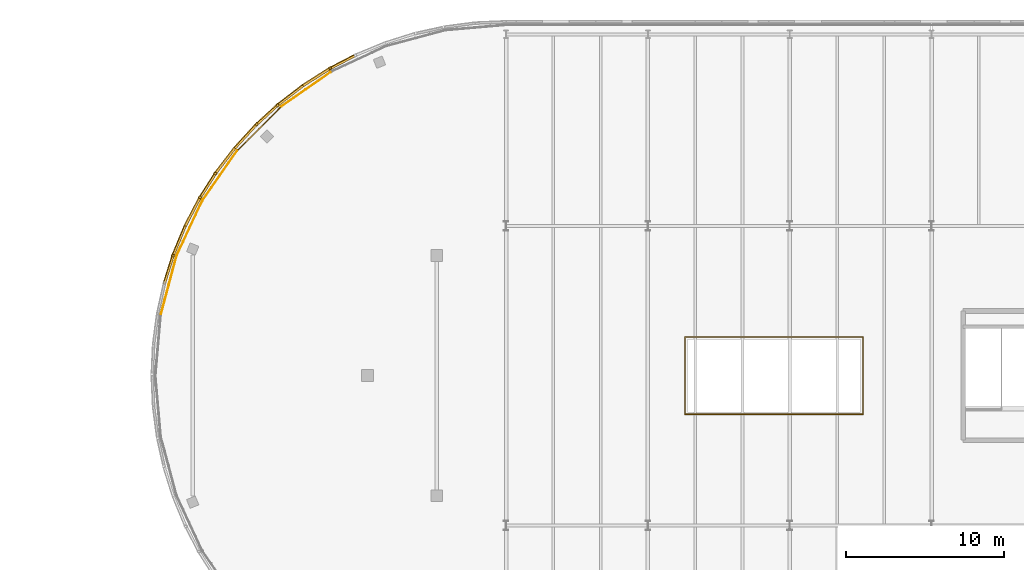
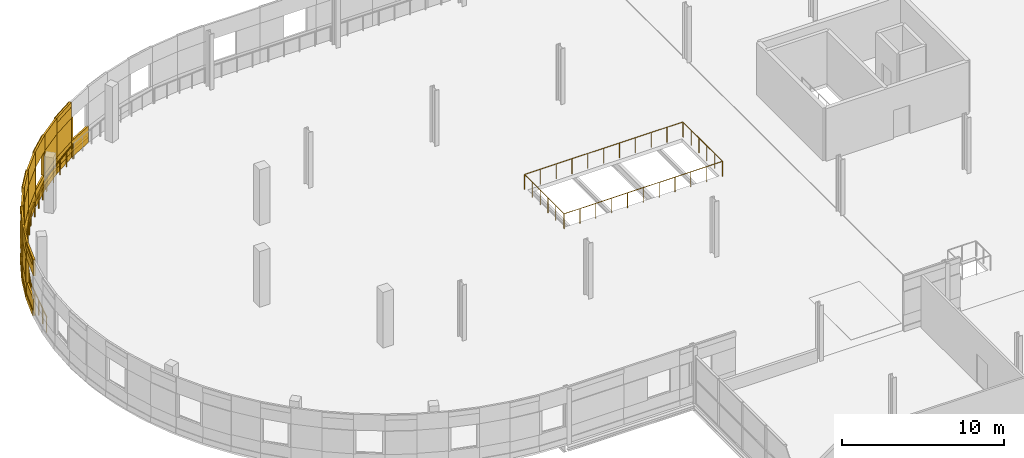
# One storey, part 79 of 88: 46 coverings, 7 railings.
"""IFC4 building model written with IfcOpenShell, lengths in metres."""

from ifc_helpers import new_model, si_unit, direction, frame, origin, origin_2d, place, context, subcontext, project, spatial, rectangle, circle, extrude, material, layer, layer_set, type_object, element, save


model = new_model("IFC4")

# Units and contexts
model_context = context("Model", 3, precision=1e-05, world=origin(), true_north=direction((0.0, 1.0)))
body_context = subcontext(model_context, "Body", "Model", "MODEL_VIEW")
ifc_project = project(units=[si_unit("LENGTHUNIT", "METRE"), si_unit("AREAUNIT", "SQUARE_METRE"), si_unit("VOLUMEUNIT", "CUBIC_METRE"), si_unit("PLANEANGLEUNIT", "RADIAN"), si_unit("MASSUNIT", "GRAM", prefix="KILO")], contexts=[model_context])

# Site, building, storey
site_placement = place(None, origin())
site = spatial("IfcSite", under=ifc_project, at=site_placement, CompositionType="ELEMENT")
building_placement = place(site_placement, origin())
building = spatial("IfcBuilding", under=site, at=building_placement, Name="Deido Ridge Mobility Hub", CompositionType="ELEMENT")
storey_placement = place(building_placement, frame((0.0, 0.0, 16.800048828125)))
storey = spatial("IfcBuildingStorey", under=building, at=storey_placement, Name="L04", CompositionType="ELEMENT", Elevation=16.800048828125)

# Coverings
ifc_material_1 = material(Name="Fired clay brick masonry", Category="masonry")
ifc_layer = layer(ifc_material_1, 0.114990234375, Name="Fired clay brick masonry")
ifc_layer_set = layer_set([ifc_layer], Name="Fired clay brick masonry")
covering_type = type_object("IfcCoveringType", Name="COV-BRK-SCREEN-115", PredefinedType="CLADDING", material=ifc_layer_set)
covering_1_placement = place(storey_placement, frame((34.644775390625, 123.392333984375, 0.0), z_axis=(0.0, 0.0, 1.0), x_axis=(-0.887018892077, -0.461733131905, 0.0)))
element("IfcCovering", 1, at=covering_1_placement, inside=storey, type_object=covering_type, Name="Open brickwork spandrel course BKS1 (L04)", PredefinedType="CLADDING", context=body_context, shape_type="SweptSolid", body=[
    extrude(rectangle(XDim=1.9619140625, YDim=0.125, at=origin_2d()), origin(), (0.0, 0.0, 1.0), 1.25),
])
covering_2_placement = place(storey_placement, frame((34.632080078125, 123.416748046875, 0.0), z_axis=(0.0, 0.0, 1.0), x_axis=(-0.887018892077, -0.461733131905, 0.0)))
element("IfcCovering", 2, at=covering_2_placement, inside=storey, type_object=covering_type, Name="Raised brick relief belt BKS1 (L04)", PredefinedType="CLADDING", context=body_context, shape_type="SweptSolid", body=[
    extrude(rectangle(XDim=1.9619140625, YDim=0.179931640625, at=origin_2d()), origin(), (0.0, 0.0, 1.0), 0.39990234375),
])
covering_3_placement = place(storey_placement, frame((33.832763671875, 123.00048828125, 1.25), z_axis=(0.0, 0.0, 1.0), x_axis=(-0.887018892077, -0.461733131905, 0.0)))
element("IfcCovering", 3, at=covering_3_placement, inside=storey, type_object=covering_type, Name="Curved brick jamb nib BKS1 (L04)", PredefinedType="CLADDING", context=body_context, shape_type="SweptSolid", body=[
    extrude(rectangle(XDim=0.152099609375, YDim=0.179931640625, at=origin_2d()), origin(), (0.0, 0.0, 1.0), 1.75),
])
covering_4_placement = place(storey_placement, frame((32.950439453125, 122.4140625, 0.0), z_axis=(0.0, 0.0, 1.0), x_axis=(-0.843382068037, -0.537314328223, 0.0)))
element("IfcCovering", 4, at=covering_4_placement, inside=storey, type_object=covering_type, Name="Open brickwork spandrel course BKS1 (L04)", PredefinedType="CLADDING", context=body_context, shape_type="SweptSolid", body=[
    extrude(rectangle(XDim=1.9619140625, YDim=0.125, at=origin_2d()), origin(), (0.0, 0.0, 1.0), 1.25),
])
covering_5_placement = place(storey_placement, frame((32.935791015625, 122.437255859375, 0.0), z_axis=(0.0, 0.0, 1.0), x_axis=(-0.843382068037, -0.537314328223, 0.0)))
element("IfcCovering", 5, at=covering_5_placement, inside=storey, type_object=covering_type, Name="Raised brick relief belt BKS1 (L04)", PredefinedType="CLADDING", context=body_context, shape_type="SweptSolid", body=[
    extrude(rectangle(XDim=1.9619140625, YDim=0.179931640625, at=origin_2d()), origin(), (0.0, 0.0, 1.0), 0.39990234375),
])
covering_6_placement = place(storey_placement, frame((32.950439453125, 122.4140625, 3.0), z_axis=(0.0, 0.0, 1.0), x_axis=(-0.843382068037, -0.537314328223, 0.0)))
element("IfcCovering", 6, at=covering_6_placement, inside=storey, type_object=covering_type, Name="Open brickwork lintel course BKS1 (L04)", PredefinedType="CLADDING", context=body_context, shape_type="SweptSolid", body=[
    extrude(rectangle(XDim=1.9619140625, YDim=0.125, at=origin_2d()), origin(), (0.0, 0.0, 1.0), 1.199951171875),
])
covering_7_placement = place(storey_placement, frame((32.935791015625, 122.437255859375, 3.83984375), z_axis=(0.0, 0.0, 1.0), x_axis=(-0.843382068037, -0.537314328223, 0.0)))
element("IfcCovering", 7, at=covering_7_placement, inside=storey, type_object=covering_type, Name="Raised brick relief cornice BKS1 (L04)", PredefinedType="CLADDING", context=body_context, shape_type="SweptSolid", body=[
    extrude(rectangle(XDim=1.9619140625, YDim=0.179931640625, at=origin_2d()), origin(), (0.0, 0.0, 1.0), 0.360107421875),
])
covering_8_placement = place(storey_placement, frame((32.935791015625, 122.437255859375, 1.25), z_axis=(0.0, 0.0, 1.0), x_axis=(-0.843382068037, -0.537314328223, 0.0)))
element("IfcCovering", 8, at=covering_8_placement, inside=storey, type_object=covering_type, Name="Curved raised brickwork pier BKS1 (L04)", PredefinedType="CLADDING", context=body_context, shape_type="SweptSolid", body=[
    extrude(rectangle(XDim=1.9619140625, YDim=0.179931640625, at=origin_2d()), origin(), (0.0, 0.0, 1.0), 1.75),
])
covering_9_placement = place(storey_placement, frame((31.347900390625, 121.2919921875, 0.0), z_axis=(0.0, 0.0, 1.0), x_axis=(-0.793353340291, -0.608761429009, 0.0)))
element("IfcCovering", 9, at=covering_9_placement, inside=storey, type_object=covering_type, Name="Open brickwork spandrel course BKS1 (L04)", PredefinedType="CLADDING", context=body_context, shape_type="SweptSolid", body=[
    extrude(rectangle(XDim=1.9619140625, YDim=0.125, at=origin_2d()), origin(), (0.0, 0.0, 1.0), 1.25),
])
covering_10_placement = place(storey_placement, frame((31.3310546875, 121.313720703125, 0.0), z_axis=(0.0, 0.0, 1.0), x_axis=(-0.793353340291, -0.608761429009, 0.0)))
element("IfcCovering", 10, at=covering_10_placement, inside=storey, type_object=covering_type, Name="Raised brick relief belt BKS1 (L04)", PredefinedType="CLADDING", context=body_context, shape_type="SweptSolid", body=[
    extrude(rectangle(XDim=1.9619140625, YDim=0.179931640625, at=origin_2d()), origin(), (0.0, 0.0, 1.0), 0.39990234375),
])
covering_11_placement = place(storey_placement, frame((31.347900390625, 121.2919921875, 3.0), z_axis=(0.0, 0.0, 1.0), x_axis=(-0.793353340291, -0.608761429009, 0.0)))
element("IfcCovering", 11, at=covering_11_placement, inside=storey, type_object=covering_type, Name="Open brickwork lintel course BKS1 (L04)", PredefinedType="CLADDING", context=body_context, shape_type="SweptSolid", body=[
    extrude(rectangle(XDim=1.9619140625, YDim=0.125, at=origin_2d()), origin(), (0.0, 0.0, 1.0), 1.199951171875),
])
covering_12_placement = place(storey_placement, frame((31.347900390625, 121.2919921875, 1.25), z_axis=(0.0, 0.0, 1.0), x_axis=(-0.793353340291, -0.608761429009, 0.0)))
element("IfcCovering", 12, at=covering_12_placement, inside=storey, type_object=covering_type, Name="Curved raised brickwork pier BKS1 (L04)", PredefinedType="CLADDING", context=body_context, shape_type="SweptSolid", body=[
    extrude(rectangle(XDim=1.9619140625, YDim=0.125, at=origin_2d()), origin(), (0.0, 0.0, 1.0), 1.75),
])
covering_13_placement = place(storey_placement, frame((29.84912109375, 120.0341796875, 0.0), z_axis=(0.0, 0.0, 1.0), x_axis=(-0.737289127971, -0.675577339596, 0.0)))
element("IfcCovering", 13, at=covering_13_placement, inside=storey, type_object=covering_type, Name="Open brickwork spandrel course BKS1 (L04)", PredefinedType="CLADDING", context=body_context, shape_type="SweptSolid", body=[
    extrude(rectangle(XDim=1.9619140625, YDim=0.125, at=origin_2d()), origin(), (0.0, 0.0, 1.0), 1.25),
])
covering_14_placement = place(storey_placement, frame((29.83056640625, 120.0546875, 0.0), z_axis=(0.0, 0.0, 1.0), x_axis=(-0.737289127971, -0.675577339596, 0.0)))
element("IfcCovering", 14, at=covering_14_placement, inside=storey, type_object=covering_type, Name="Raised brick relief belt BKS1 (L04)", PredefinedType="CLADDING", context=body_context, shape_type="SweptSolid", body=[
    extrude(rectangle(XDim=1.9619140625, YDim=0.179931640625, at=origin_2d()), origin(), (0.0, 0.0, 1.0), 0.39990234375),
])
covering_15_placement = place(storey_placement, frame((29.84912109375, 120.0341796875, 3.0), z_axis=(0.0, 0.0, 1.0), x_axis=(-0.737289127971, -0.675577339596, 0.0)))
element("IfcCovering", 15, at=covering_15_placement, inside=storey, type_object=covering_type, Name="Open brickwork lintel course BKS1 (L04)", PredefinedType="CLADDING", context=body_context, shape_type="SweptSolid", body=[
    extrude(rectangle(XDim=1.9619140625, YDim=0.125, at=origin_2d()), origin(), (0.0, 0.0, 1.0), 1.199951171875),
])
covering_16_placement = place(storey_placement, frame((29.83056640625, 120.0546875, 3.83984375), z_axis=(0.0, 0.0, 1.0), x_axis=(-0.737289127971, -0.675577339596, 0.0)))
element("IfcCovering", 16, at=covering_16_placement, inside=storey, type_object=covering_type, Name="Raised brick relief cornice BKS1 (L04)", PredefinedType="CLADDING", context=body_context, shape_type="SweptSolid", body=[
    extrude(rectangle(XDim=1.9619140625, YDim=0.179931640625, at=origin_2d()), origin(), (0.0, 0.0, 1.0), 0.360107421875),
])
for number, where, z_axis, x_axis, name in (
    (17, (30.494873046875, 120.663330078125, 1.25), (0.0, 0.0, 1.0), (-0.737289127971, -0.675577339596, 0.0), "Curved brick jamb nib BKS1 (L04)"),
    (18, (29.166259765625, 119.44580078125, 1.25), (0.0, 0.0, 1.0), (-0.737289127971, -0.675577339596, 0.0), "Curved brick jamb nib BKS1 (L04)"),
):
    element("IfcCovering", number, at=place(storey_placement, frame(where, z_axis=z_axis, x_axis=x_axis)), inside=storey, type_object=covering_type, Name=name, PredefinedType="CLADDING", context=body_context, shape_type="SweptSolid", body=[
        extrude(rectangle(XDim=0.152099609375, YDim=0.179931640625, at=origin_2d()), origin(), (0.0, 0.0, 1.0), 1.75),
    ])
covering_17_placement = place(storey_placement, frame((28.4658203125, 118.65087890625, 0.0), z_axis=(0.0, 0.0, 1.0), x_axis=(-0.675577339596, -0.737289127971, 0.0)))
element("IfcCovering", 19, at=covering_17_placement, inside=storey, type_object=covering_type, Name="Open brickwork spandrel course BKS1 (L04)", PredefinedType="CLADDING", context=body_context, shape_type="SweptSolid", body=[
    extrude(rectangle(XDim=1.9619140625, YDim=0.125, at=origin_2d()), origin(), (0.0, 0.0, 1.0), 1.25),
])
covering_18_placement = place(storey_placement, frame((28.4453125, 118.66943359375, 0.0), z_axis=(0.0, 0.0, 1.0), x_axis=(-0.675577339596, -0.737289127971, 0.0)))
element("IfcCovering", 20, at=covering_18_placement, inside=storey, type_object=covering_type, Name="Raised brick relief belt BKS1 (L04)", PredefinedType="CLADDING", context=body_context, shape_type="SweptSolid", body=[
    extrude(rectangle(XDim=1.9619140625, YDim=0.179931640625, at=origin_2d()), origin(), (0.0, 0.0, 1.0), 0.39990234375),
])
covering_19_placement = place(storey_placement, frame((28.4658203125, 118.65087890625, 3.0), z_axis=(0.0, 0.0, 1.0), x_axis=(-0.675577339596, -0.737289127971, 0.0)))
element("IfcCovering", 21, at=covering_19_placement, inside=storey, type_object=covering_type, Name="Open brickwork lintel course BKS1 (L04)", PredefinedType="CLADDING", context=body_context, shape_type="SweptSolid", body=[
    extrude(rectangle(XDim=1.9619140625, YDim=0.125, at=origin_2d()), origin(), (0.0, 0.0, 1.0), 1.199951171875),
])
covering_20_placement = place(storey_placement, frame((28.4658203125, 118.65087890625, 1.25), z_axis=(0.0, 0.0, 1.0), x_axis=(-0.675577339596, -0.737289127971, 0.0)))
element("IfcCovering", 22, at=covering_20_placement, inside=storey, type_object=covering_type, Name="Curved raised brickwork pier BKS1 (L04)", PredefinedType="CLADDING", context=body_context, shape_type="SweptSolid", body=[
    extrude(rectangle(XDim=1.9619140625, YDim=0.125, at=origin_2d()), origin(), (0.0, 0.0, 1.0), 1.75),
])
covering_21_placement = place(storey_placement, frame((27.2080078125, 117.152099609375, 0.0), z_axis=(0.0, 0.0, 1.0), x_axis=(-0.608761429009, -0.793353340291, 0.0)))
element("IfcCovering", 23, at=covering_21_placement, inside=storey, type_object=covering_type, Name="Open brickwork spandrel course BKS1 (L04)", PredefinedType="CLADDING", context=body_context, shape_type="SweptSolid", body=[
    extrude(rectangle(XDim=1.9619140625, YDim=0.125, at=origin_2d()), origin(), (0.0, 0.0, 1.0), 1.25),
])
covering_22_placement = place(storey_placement, frame((27.186279296875, 117.1689453125, 0.0), z_axis=(0.0, 0.0, 1.0), x_axis=(-0.608761429009, -0.793353340291, 0.0)))
element("IfcCovering", 24, at=covering_22_placement, inside=storey, type_object=covering_type, Name="Raised brick relief belt BKS1 (L04)", PredefinedType="CLADDING", context=body_context, shape_type="SweptSolid", body=[
    extrude(rectangle(XDim=1.9619140625, YDim=0.179931640625, at=origin_2d()), origin(), (0.0, 0.0, 1.0), 0.39990234375),
])
covering_23_placement = place(storey_placement, frame((27.2080078125, 117.152099609375, 3.0), z_axis=(0.0, 0.0, 1.0), x_axis=(-0.608761429009, -0.793353340291, 0.0)))
element("IfcCovering", 25, at=covering_23_placement, inside=storey, type_object=covering_type, Name="Open brickwork lintel course BKS1 (L04)", PredefinedType="CLADDING", context=body_context, shape_type="SweptSolid", body=[
    extrude(rectangle(XDim=1.9619140625, YDim=0.125, at=origin_2d()), origin(), (0.0, 0.0, 1.0), 1.199951171875),
])
covering_24_placement = place(storey_placement, frame((27.186279296875, 117.1689453125, 3.83984375), z_axis=(0.0, 0.0, 1.0), x_axis=(-0.608761429009, -0.793353340291, 0.0)))
element("IfcCovering", 26, at=covering_24_placement, inside=storey, type_object=covering_type, Name="Raised brick relief cornice BKS1 (L04)", PredefinedType="CLADDING", context=body_context, shape_type="SweptSolid", body=[
    extrude(rectangle(XDim=1.9619140625, YDim=0.179931640625, at=origin_2d()), origin(), (0.0, 0.0, 1.0), 0.360107421875),
])
covering_25_placement = place(storey_placement, frame((27.186279296875, 117.1689453125, 1.25), z_axis=(0.0, 0.0, 1.0), x_axis=(-0.608761429009, -0.793353340291, 0.0)))
element("IfcCovering", 27, at=covering_25_placement, inside=storey, type_object=covering_type, Name="Curved raised brickwork pier BKS1 (L04)", PredefinedType="CLADDING", context=body_context, shape_type="SweptSolid", body=[
    extrude(rectangle(XDim=1.9619140625, YDim=0.179931640625, at=origin_2d()), origin(), (0.0, 0.0, 1.0), 1.75),
])
covering_26_placement = place(storey_placement, frame((26.0859375, 115.549560546875, 0.0), z_axis=(0.0, 0.0, 1.0), x_axis=(-0.537314328223, -0.843382068037, 0.0)))
element("IfcCovering", 28, at=covering_26_placement, inside=storey, type_object=covering_type, Name="Open brickwork spandrel course BKS1 (L04)", PredefinedType="CLADDING", context=body_context, shape_type="SweptSolid", body=[
    extrude(rectangle(XDim=1.9619140625, YDim=0.125, at=origin_2d()), origin(), (0.0, 0.0, 1.0), 1.25),
])
covering_27_placement = place(storey_placement, frame((26.062744140625, 115.564208984375, 0.0), z_axis=(0.0, 0.0, 1.0), x_axis=(-0.537314328223, -0.843382068037, 0.0)))
element("IfcCovering", 29, at=covering_27_placement, inside=storey, type_object=covering_type, Name="Raised brick relief belt BKS1 (L04)", PredefinedType="CLADDING", context=body_context, shape_type="SweptSolid", body=[
    extrude(rectangle(XDim=1.9619140625, YDim=0.179931640625, at=origin_2d()), origin(), (0.0, 0.0, 1.0), 0.39990234375),
])
covering_28_placement = place(storey_placement, frame((26.0859375, 115.549560546875, 3.0), z_axis=(0.0, 0.0, 1.0), x_axis=(-0.537314328223, -0.843382068037, 0.0)))
element("IfcCovering", 30, at=covering_28_placement, inside=storey, type_object=covering_type, Name="Open brickwork lintel course BKS1 (L04)", PredefinedType="CLADDING", context=body_context, shape_type="SweptSolid", body=[
    extrude(rectangle(XDim=1.9619140625, YDim=0.125, at=origin_2d()), origin(), (0.0, 0.0, 1.0), 1.199951171875),
])
for number, where, z_axis, x_axis, name in (
    (31, (26.546875, 116.32421875, 1.25), (0.0, 0.0, 1.0), (-0.537314328223, -0.843382068037, 0.0), "Curved brick jamb nib BKS1 (L04)"),
    (32, (25.57861328125, 114.804443359375, 1.25), (0.0, 0.0, 1.0), (-0.537314328223, -0.843382068037, 0.0), "Curved brick jamb nib BKS1 (L04)"),
):
    element("IfcCovering", number, at=place(storey_placement, frame(where, z_axis=z_axis, x_axis=x_axis)), inside=storey, type_object=covering_type, Name=name, PredefinedType="CLADDING", context=body_context, shape_type="SweptSolid", body=[
        extrude(rectangle(XDim=0.152099609375, YDim=0.179931640625, at=origin_2d()), origin(), (0.0, 0.0, 1.0), 1.75),
    ])
covering_29_placement = place(storey_placement, frame((25.107666015625, 113.855224609375, 0.0), z_axis=(0.0, 0.0, 1.0), x_axis=(-0.461733131905, -0.887018892077, 0.0)))
element("IfcCovering", 33, at=covering_29_placement, inside=storey, type_object=covering_type, Name="Open brickwork spandrel course BKS1 (L04)", PredefinedType="CLADDING", context=body_context, shape_type="SweptSolid", body=[
    extrude(rectangle(XDim=1.9619140625, YDim=0.125, at=origin_2d()), origin(), (0.0, 0.0, 1.0), 1.25),
])
covering_30_placement = place(storey_placement, frame((25.083251953125, 113.867919921875, 0.0), z_axis=(0.0, 0.0, 1.0), x_axis=(-0.461733131905, -0.887018892077, 0.0)))
element("IfcCovering", 34, at=covering_30_placement, inside=storey, type_object=covering_type, Name="Raised brick relief belt BKS1 (L04)", PredefinedType="CLADDING", context=body_context, shape_type="SweptSolid", body=[
    extrude(rectangle(XDim=1.9619140625, YDim=0.179931640625, at=origin_2d()), origin(), (0.0, 0.0, 1.0), 0.39990234375),
])
covering_31_placement = place(storey_placement, frame((25.107666015625, 113.855224609375, 3.0), z_axis=(0.0, 0.0, 1.0), x_axis=(-0.461733131905, -0.887018892077, 0.0)))
element("IfcCovering", 35, at=covering_31_placement, inside=storey, type_object=covering_type, Name="Open brickwork lintel course BKS1 (L04)", PredefinedType="CLADDING", context=body_context, shape_type="SweptSolid", body=[
    extrude(rectangle(XDim=1.9619140625, YDim=0.125, at=origin_2d()), origin(), (0.0, 0.0, 1.0), 1.199951171875),
])
covering_32_placement = place(storey_placement, frame((25.083251953125, 113.867919921875, 3.83984375), z_axis=(0.0, 0.0, 1.0), x_axis=(-0.461733131905, -0.887018892077, 0.0)))
element("IfcCovering", 36, at=covering_32_placement, inside=storey, type_object=covering_type, Name="Raised brick relief cornice BKS1 (L04)", PredefinedType="CLADDING", context=body_context, shape_type="SweptSolid", body=[
    extrude(rectangle(XDim=1.9619140625, YDim=0.179931640625, at=origin_2d()), origin(), (0.0, 0.0, 1.0), 0.360107421875),
])
covering_33_placement = place(storey_placement, frame((25.083251953125, 113.867919921875, 1.25), z_axis=(0.0, 0.0, 1.0), x_axis=(-0.461733131905, -0.887018892077, 0.0)))
element("IfcCovering", 37, at=covering_33_placement, inside=storey, type_object=covering_type, Name="Curved raised brickwork pier BKS1 (L04)", PredefinedType="CLADDING", context=body_context, shape_type="SweptSolid", body=[
    extrude(rectangle(XDim=1.9619140625, YDim=0.179931640625, at=origin_2d()), origin(), (0.0, 0.0, 1.0), 1.75),
])
covering_34_placement = place(storey_placement, frame((24.281005859375, 112.08203125, 0.0), z_axis=(0.0, 0.0, 1.0), x_axis=(-0.382699557047, -0.923872853285, 0.0)))
element("IfcCovering", 38, at=covering_34_placement, inside=storey, type_object=covering_type, Name="Open brickwork spandrel course BKS1 (L04)", PredefinedType="CLADDING", context=body_context, shape_type="SweptSolid", body=[
    extrude(rectangle(XDim=1.9619140625, YDim=0.125, at=origin_2d()), origin(), (0.0, 0.0, 1.0), 1.25),
])
covering_35_placement = place(storey_placement, frame((24.255615234375, 112.0927734375, 0.0), z_axis=(0.0, 0.0, 1.0), x_axis=(-0.382699557047, -0.923872853285, 0.0)))
element("IfcCovering", 39, at=covering_35_placement, inside=storey, type_object=covering_type, Name="Raised brick relief belt BKS1 (L04)", PredefinedType="CLADDING", context=body_context, shape_type="SweptSolid", body=[
    extrude(rectangle(XDim=1.9619140625, YDim=0.179931640625, at=origin_2d()), origin(), (0.0, 0.0, 1.0), 0.39990234375),
])
covering_36_placement = place(storey_placement, frame((24.281005859375, 112.08203125, 3.0), z_axis=(0.0, 0.0, 1.0), x_axis=(-0.382699557047, -0.923872853285, 0.0)))
element("IfcCovering", 40, at=covering_36_placement, inside=storey, type_object=covering_type, Name="Open brickwork lintel course BKS1 (L04)", PredefinedType="CLADDING", context=body_context, shape_type="SweptSolid", body=[
    extrude(rectangle(XDim=1.9619140625, YDim=0.125, at=origin_2d()), origin(), (0.0, 0.0, 1.0), 1.199951171875),
])
covering_37_placement = place(storey_placement, frame((24.281005859375, 112.08203125, 1.25), z_axis=(0.0, 0.0, 1.0), x_axis=(-0.382699557047, -0.923872853285, 0.0)))
element("IfcCovering", 41, at=covering_37_placement, inside=storey, type_object=covering_type, Name="Curved raised brickwork pier BKS1 (L04)", PredefinedType="CLADDING", context=body_context, shape_type="SweptSolid", body=[
    extrude(rectangle(XDim=1.9619140625, YDim=0.125, at=origin_2d()), origin(), (0.0, 0.0, 1.0), 1.75),
])
covering_38_placement = place(storey_placement, frame((23.61181640625, 110.24365234375, 0.0), z_axis=(0.0, 0.0, 1.0), x_axis=(-0.300672508319, -0.95372744678, 0.0)))
element("IfcCovering", 42, at=covering_38_placement, inside=storey, type_object=covering_type, Name="Open brickwork spandrel course BKS1 (L04)", PredefinedType="CLADDING", context=body_context, shape_type="SweptSolid", body=[
    extrude(rectangle(XDim=1.9619140625, YDim=0.125, at=origin_2d()), origin(), (0.0, 0.0, 1.0), 1.25),
])
covering_39_placement = place(storey_placement, frame((23.585693359375, 110.251953125, 0.0), z_axis=(0.0, 0.0, 1.0), x_axis=(-0.300672508319, -0.95372744678, 0.0)))
element("IfcCovering", 43, at=covering_39_placement, inside=storey, type_object=covering_type, Name="Raised brick relief belt BKS1 (L04)", PredefinedType="CLADDING", context=body_context, shape_type="SweptSolid", body=[
    extrude(rectangle(XDim=1.9619140625, YDim=0.179931640625, at=origin_2d()), origin(), (0.0, 0.0, 1.0), 0.39990234375),
])
covering_40_placement = place(storey_placement, frame((23.61181640625, 110.24365234375, 3.0), z_axis=(0.0, 0.0, 1.0), x_axis=(-0.300672508319, -0.95372744678, 0.0)))
element("IfcCovering", 44, at=covering_40_placement, inside=storey, type_object=covering_type, Name="Open brickwork lintel course BKS1 (L04)", PredefinedType="CLADDING", context=body_context, shape_type="SweptSolid", body=[
    extrude(rectangle(XDim=1.9619140625, YDim=0.125, at=origin_2d()), origin(), (0.0, 0.0, 1.0), 1.199951171875),
])
covering_41_placement = place(storey_placement, frame((23.585693359375, 110.251953125, 3.83984375), z_axis=(0.0, 0.0, 1.0), x_axis=(-0.300672508319, -0.95372744678, 0.0)))
element("IfcCovering", 45, at=covering_41_placement, inside=storey, type_object=covering_type, Name="Raised brick relief cornice BKS1 (L04)", PredefinedType="CLADDING", context=body_context, shape_type="SweptSolid", body=[
    extrude(rectangle(XDim=1.9619140625, YDim=0.179931640625, at=origin_2d()), origin(), (0.0, 0.0, 1.0), 0.360107421875),
])
covering_42_placement = place(storey_placement, frame((23.8564453125, 111.111328125, 1.25), z_axis=(0.0, 0.0, 1.0), x_axis=(-0.300672508319, -0.95372744678, 0.0)))
element("IfcCovering", 46, at=covering_42_placement, inside=storey, type_object=covering_type, Name="Curved brick jamb nib BKS1 (L04)", PredefinedType="CLADDING", context=body_context, shape_type="SweptSolid", body=[
    extrude(rectangle(XDim=0.152099609375, YDim=0.179931640625, at=origin_2d()), origin(), (0.0, 0.0, 1.0), 1.75),
])

# Railings
ifc_material_2 = material(Name="Galvanised steel work", Category="steel")
railing_type = type_object("IfcRailingType", Name="RL-GRD-EXT-1150", PredefinedType="GUARDRAIL", material=ifc_material_2)
railing_1_placement = place(storey_placement, frame((33.84228515625, 122.74609375, 0.0)))
element("IfcRailing", 47, at=railing_1_placement, inside=storey, type_object=railing_type, Name="Parking drum perimeter guard (L04)", PredefinedType="GUARDRAIL", context=body_context, shape_type="SweptSolid", body=[
    extrude(circle(Radius=0.02392578125, at=origin_2d()), frame((0.0, 0.0, 1.1259765625), z_axis=(-0.819156425271, -0.573570179609, 0.0), x_axis=(0.573570179609, -0.819156425271, 0.0)), (0.0, 0.0, 1.0), 3.798583984375),
    extrude(circle(Radius=0.02099609375, at=origin_2d()), origin(), (0.0, 0.0, 1.0), 1.101806640625),
    extrude(circle(Radius=0.02099609375, at=origin_2d()), frame((-0.77783203125, -0.544677734375, 0.0)), (0.0, 0.0, 1.0), 1.101806640625),
    extrude(circle(Radius=0.02099609375, at=origin_2d()), frame((-1.5556640625, -1.08935546875, 0.0)), (0.0, 0.0, 1.0), 1.101806640625),
    extrude(circle(Radius=0.02099609375, at=origin_2d()), frame((-2.333740234375, -1.634033203125, 0.0)), (0.0, 0.0, 1.0), 1.101806640625),
    extrude(circle(Radius=0.02099609375, at=origin_2d()), frame((-3.111572265625, -2.1787109375, 0.0)), (0.0, 0.0, 1.0), 1.101806640625),
])
railing_2_placement = place(storey_placement, frame((30.669677734375, 120.51611328125, 0.0)))
element("IfcRailing", 48, at=railing_2_placement, inside=storey, type_object=railing_type, Name="Parking drum perimeter guard (L04)", PredefinedType="GUARDRAIL", context=body_context, shape_type="SweptSolid", body=[
    extrude(circle(Radius=0.02392578125, at=origin_2d()), frame((0.0, 0.0, 1.1259765625), z_axis=(-0.707106781187, -0.707106781187, 0.0), x_axis=(0.707106781187, -0.707106781187, 0.0)), (0.0, 0.0, 1.0), 3.79833984375),
    extrude(circle(Radius=0.02099609375, at=origin_2d()), origin(), (0.0, 0.0, 1.0), 1.101806640625),
    extrude(circle(Radius=0.02099609375, at=origin_2d()), frame((-0.67138671875, -0.67138671875, 0.0)), (0.0, 0.0, 1.0), 1.101806640625),
    extrude(circle(Radius=0.02099609375, at=origin_2d()), frame((-1.3427734375, -1.3427734375, 0.0)), (0.0, 0.0, 1.0), 1.101806640625),
    extrude(circle(Radius=0.02099609375, at=origin_2d()), frame((-2.014404296875, -2.014404296875, 0.0)), (0.0, 0.0, 1.0), 1.101806640625),
    extrude(circle(Radius=0.02099609375, at=origin_2d()), frame((-2.685791015625, -2.685791015625, 0.0)), (0.0, 0.0, 1.0), 1.101806640625),
])
railing_3_placement = place(storey_placement, frame((27.9326171875, 117.769287109375, 0.0)))
element("IfcRailing", 49, at=railing_3_placement, inside=storey, type_object=railing_type, Name="Parking drum perimeter guard (L04)", PredefinedType="GUARDRAIL", context=body_context, shape_type="SweptSolid", body=[
    extrude(circle(Radius=0.02392578125, at=origin_2d()), frame((0.0, 0.0, 1.1259765625), z_axis=(-0.573570179609, -0.819156425271, 0.0), x_axis=(0.819156425271, -0.573570179609, 0.0)), (0.0, 0.0, 1.0), 3.798583984375),
    extrude(circle(Radius=0.02099609375, at=origin_2d()), origin(), (0.0, 0.0, 1.0), 1.101806640625),
    extrude(circle(Radius=0.02099609375, at=origin_2d()), frame((-0.544677734375, -0.77783203125, 0.0)), (0.0, 0.0, 1.0), 1.101806640625),
    extrude(circle(Radius=0.02099609375, at=origin_2d()), frame((-1.08935546875, -1.5556640625, 0.0)), (0.0, 0.0, 1.0), 1.101806640625),
    extrude(circle(Radius=0.02099609375, at=origin_2d()), frame((-1.634033203125, -2.333740234375, 0.0)), (0.0, 0.0, 1.0), 1.101806640625),
    extrude(circle(Radius=0.02099609375, at=origin_2d()), frame((-2.1787109375, -3.111572265625, 0.0)), (0.0, 0.0, 1.0), 1.101806640625),
])
railing_4_placement = place(storey_placement, frame((25.714111328125, 114.588623046875, 0.0)))
element("IfcRailing", 50, at=railing_4_placement, inside=storey, type_object=railing_type, Name="Parking drum perimeter guard (L04)", PredefinedType="GUARDRAIL", context=body_context, shape_type="SweptSolid", body=[
    extrude(circle(Radius=0.02392578125, at=origin_2d()), frame((0.0, 0.0, 1.1259765625), z_axis=(-0.422674330627, -0.906281639574, 0.0), x_axis=(0.906281639574, -0.422674330627, 0.0)), (0.0, 0.0, 1.0), 3.79833984375),
    extrude(circle(Radius=0.02099609375, at=origin_2d()), origin(), (0.0, 0.0, 1.0), 1.101806640625),
    extrude(circle(Radius=0.02099609375, at=origin_2d()), frame((-0.4013671875, -0.860595703125, 0.0)), (0.0, 0.0, 1.0), 1.101806640625),
    extrude(circle(Radius=0.02099609375, at=origin_2d()), frame((-0.802734375, -1.72119140625, 0.0)), (0.0, 0.0, 1.0), 1.101806640625),
    extrude(circle(Radius=0.02099609375, at=origin_2d()), frame((-1.2041015625, -2.581787109375, 0.0)), (0.0, 0.0, 1.0), 1.101806640625),
    extrude(circle(Radius=0.02099609375, at=origin_2d()), frame((-1.60546875, -3.4423828125, 0.0)), (0.0, 0.0, 1.0), 1.101806640625),
])
railing_5_placement = place(storey_placement, frame((24.081298828125, 111.0712890625, 0.0)))
element("IfcRailing", 51, at=railing_5_placement, inside=storey, type_object=railing_type, Name="Parking drum perimeter guard (L04)", PredefinedType="GUARDRAIL", context=body_context, shape_type="SweptSolid", body=[
    extrude(circle(Radius=0.02392578125, at=origin_2d()), frame((0.0, 0.0, 1.1259765625), z_axis=(-0.258774639064, -0.965937723757, 0.0), x_axis=(0.965937723757, -0.258774639064, 0.0)), (0.0, 0.0, 1.0), 3.79833984375),
    extrude(circle(Radius=0.02099609375, at=origin_2d()), origin(), (0.0, 0.0, 1.0), 1.101806640625),
    extrude(circle(Radius=0.02099609375, at=origin_2d()), frame((-0.24560546875, -0.917236328125, 0.0)), (0.0, 0.0, 1.0), 1.101806640625),
    extrude(circle(Radius=0.02099609375, at=origin_2d()), frame((-0.491455078125, -1.83447265625, 0.0)), (0.0, 0.0, 1.0), 1.101806640625),
    extrude(circle(Radius=0.02099609375, at=origin_2d()), frame((-0.7373046875, -2.751708984375, 0.0)), (0.0, 0.0, 1.0), 1.101806640625),
    extrude(circle(Radius=0.02099609375, at=origin_2d()), frame((-0.98291015625, -3.6689453125, 0.0)), (0.0, 0.0, 1.0), 1.101806640625),
])
railing_6_placement = place(storey_placement, frame((56.35009765625, 101.050048828125, 0.0)))
element("IfcRailing", 52, at=railing_6_placement, inside=storey, type_object=railing_type, Name="Parking west lightwell guard (L04) A", PredefinedType="GUARDRAIL", context=body_context, shape_type="SweptSolid", body=[
    extrude(circle(Radius=0.02392578125, at=origin_2d()), frame((0.0, 0.0, 1.1259765625), z_axis=(1.0, 0.0, 0.0), x_axis=(0.0, 1.0, 0.0)), (0.0, 0.0, 1.0), 11.2998046875),
    extrude(circle(Radius=0.02392578125, at=origin_2d()), frame((11.2998046875, 0.0, 1.1259765625), z_axis=(0.0, 1.0, 0.0), x_axis=(-1.0, 0.0, 0.0)), (0.0, 0.0, 1.0), 4.83984375),
    extrude(circle(Radius=0.02099609375, at=origin_2d()), origin(), (0.0, 0.0, 1.0), 1.101806640625),
    extrude(circle(Radius=0.02099609375, at=origin_2d()), frame((1.1298828125, 0.0, 0.0)), (0.0, 0.0, 1.0), 1.101806640625),
    extrude(circle(Radius=0.02099609375, at=origin_2d()), frame((2.260009765625, 0.0, 0.0)), (0.0, 0.0, 1.0), 1.101806640625),
    extrude(circle(Radius=0.02099609375, at=origin_2d()), frame((3.389892578125, 0.0, 0.0)), (0.0, 0.0, 1.0), 1.101806640625),
    extrude(circle(Radius=0.02099609375, at=origin_2d()), frame((4.52001953125, 0.0, 0.0)), (0.0, 0.0, 1.0), 1.101806640625),
    extrude(circle(Radius=0.02099609375, at=origin_2d()), frame((5.64990234375, 0.0, 0.0)), (0.0, 0.0, 1.0), 1.101806640625),
    extrude(circle(Radius=0.02099609375, at=origin_2d()), frame((6.77978515625, 0.0, 0.0)), (0.0, 0.0, 1.0), 1.101806640625),
    extrude(circle(Radius=0.02099609375, at=origin_2d()), frame((7.909912109375, 0.0, 0.0)), (0.0, 0.0, 1.0), 1.101806640625),
    extrude(circle(Radius=0.02099609375, at=origin_2d()), frame((9.039794921875, 0.0, 0.0)), (0.0, 0.0, 1.0), 1.101806640625),
    extrude(circle(Radius=0.02099609375, at=origin_2d()), frame((10.169921875, 0.0, 0.0)), (0.0, 0.0, 1.0), 1.101806640625),
    extrude(circle(Radius=0.02099609375, at=origin_2d()), frame((11.2998046875, 0.0, 0.0)), (0.0, 0.0, 1.0), 1.101806640625),
    extrude(circle(Radius=0.02099609375, at=origin_2d()), frame((11.2998046875, 0.968017578125, 0.0)), (0.0, 0.0, 1.0), 1.101806640625),
    extrude(circle(Radius=0.02099609375, at=origin_2d()), frame((11.2998046875, 1.93603515625, 0.0)), (0.0, 0.0, 1.0), 1.101806640625),
    extrude(circle(Radius=0.02099609375, at=origin_2d()), frame((11.2998046875, 2.90380859375, 0.0)), (0.0, 0.0, 1.0), 1.101806640625),
    extrude(circle(Radius=0.02099609375, at=origin_2d()), frame((11.2998046875, 3.871826171875, 0.0)), (0.0, 0.0, 1.0), 1.101806640625),
    extrude(circle(Radius=0.02099609375, at=origin_2d()), frame((11.2998046875, 4.83984375, 0.0)), (0.0, 0.0, 1.0), 1.101806640625),
])
railing_7_placement = place(storey_placement, frame((67.64990234375, 105.949951171875, 0.0)))
element("IfcRailing", 53, at=railing_7_placement, inside=storey, type_object=railing_type, Name="Parking west lightwell guard (L04) B", PredefinedType="GUARDRAIL", context=body_context, shape_type="SweptSolid", body=[
    extrude(circle(Radius=0.02392578125, at=origin_2d()), frame((0.0, 0.0, 1.1259765625), z_axis=(-1.0, 0.0, 0.0), x_axis=(0.0, -1.0, 0.0)), (0.0, 0.0, 1.0), 11.2998046875),
    extrude(circle(Radius=0.02392578125, at=origin_2d()), frame((-11.2998046875, 0.0, 1.1259765625), z_axis=(0.0, -1.0, 0.0), x_axis=(1.0, 0.0, 0.0)), (0.0, 0.0, 1.0), 4.83984375),
    extrude(circle(Radius=0.02099609375, at=origin_2d()), origin(), (0.0, 0.0, 1.0), 1.101806640625),
    extrude(circle(Radius=0.02099609375, at=origin_2d()), frame((-1.1298828125, 0.0, 0.0)), (0.0, 0.0, 1.0), 1.101806640625),
    extrude(circle(Radius=0.02099609375, at=origin_2d()), frame((-2.260009765625, 0.0, 0.0)), (0.0, 0.0, 1.0), 1.101806640625),
    extrude(circle(Radius=0.02099609375, at=origin_2d()), frame((-3.389892578125, 0.0, 0.0)), (0.0, 0.0, 1.0), 1.101806640625),
    extrude(circle(Radius=0.02099609375, at=origin_2d()), frame((-4.52001953125, 0.0, 0.0)), (0.0, 0.0, 1.0), 1.101806640625),
    extrude(circle(Radius=0.02099609375, at=origin_2d()), frame((-5.64990234375, 0.0, 0.0)), (0.0, 0.0, 1.0), 1.101806640625),
    extrude(circle(Radius=0.02099609375, at=origin_2d()), frame((-6.77978515625, 0.0, 0.0)), (0.0, 0.0, 1.0), 1.101806640625),
    extrude(circle(Radius=0.02099609375, at=origin_2d()), frame((-7.909912109375, 0.0, 0.0)), (0.0, 0.0, 1.0), 1.101806640625),
    extrude(circle(Radius=0.02099609375, at=origin_2d()), frame((-9.039794921875, 0.0, 0.0)), (0.0, 0.0, 1.0), 1.101806640625),
    extrude(circle(Radius=0.02099609375, at=origin_2d()), frame((-10.169921875, 0.0, 0.0)), (0.0, 0.0, 1.0), 1.101806640625),
    extrude(circle(Radius=0.02099609375, at=origin_2d()), frame((-11.2998046875, 0.0, 0.0)), (0.0, 0.0, 1.0), 1.101806640625),
    extrude(circle(Radius=0.02099609375, at=origin_2d()), frame((-11.2998046875, -0.968017578125, 0.0)), (0.0, 0.0, 1.0), 1.101806640625),
    extrude(circle(Radius=0.02099609375, at=origin_2d()), frame((-11.2998046875, -1.93603515625, 0.0)), (0.0, 0.0, 1.0), 1.101806640625),
    extrude(circle(Radius=0.02099609375, at=origin_2d()), frame((-11.2998046875, -2.90380859375, 0.0)), (0.0, 0.0, 1.0), 1.101806640625),
    extrude(circle(Radius=0.02099609375, at=origin_2d()), frame((-11.2998046875, -3.871826171875, 0.0)), (0.0, 0.0, 1.0), 1.101806640625),
    extrude(circle(Radius=0.02099609375, at=origin_2d()), frame((-11.2998046875, -4.83984375, 0.0)), (0.0, 0.0, 1.0), 1.101806640625),
])

save(model, "model.ifc")
